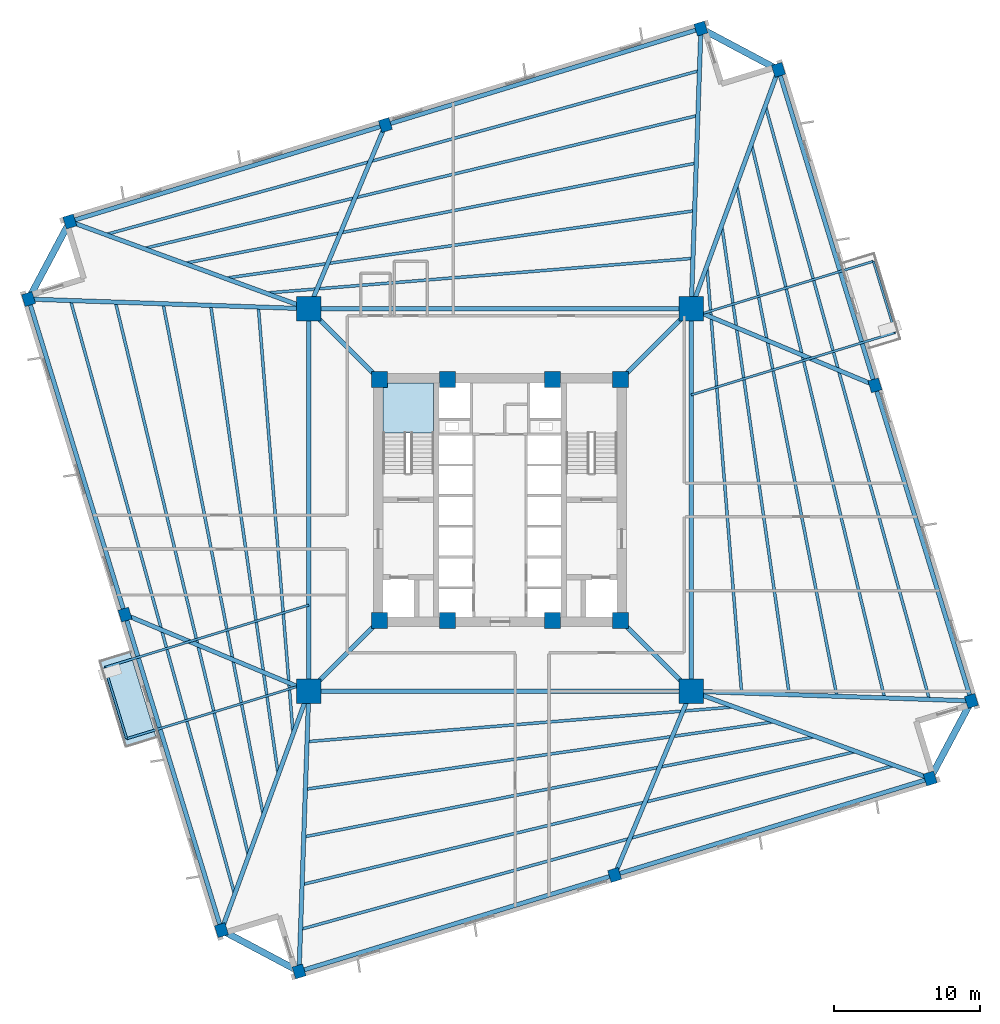
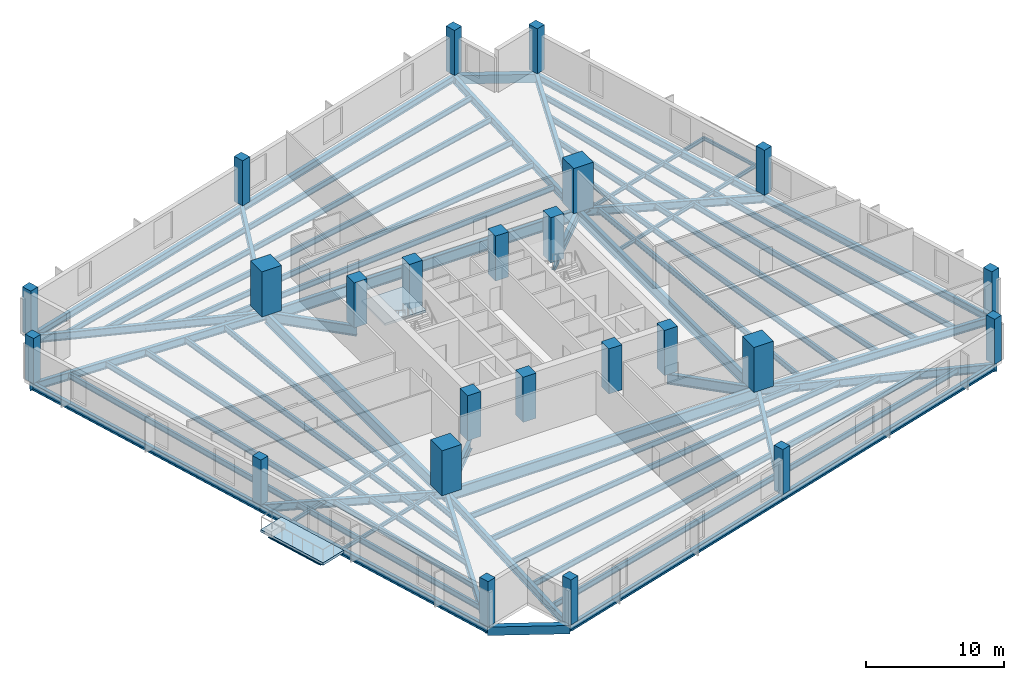
# One storey, part 1 of 9: 58 beams, 24 columns, 2 slabs, 1 element without a shape of its own.
"""IFC4 building model written with IfcOpenShell, lengths in metres."""

from ifc_helpers import new_model, si_unit, direction, frame, origin, origin_2d, place, context, subcontext, project, spatial, polyline, rectangle, i_section, outline, extrude, source, transform, mapped, material, layer, layer_set, material_profile, profile_set, type_object, element, aggregate, save


model = new_model("IFC4")

# Units and contexts
model_context = context("Model", 3, precision=1e-05, world=origin(), true_north=direction((0.0, 1.0)))
body_context = subcontext(model_context, "Body", "Model", "MODEL_VIEW")
ifc_project = project(units=[si_unit("LENGTHUNIT", "METRE"), si_unit("AREAUNIT", "SQUARE_METRE"), si_unit("VOLUMEUNIT", "CUBIC_METRE"), si_unit("PLANEANGLEUNIT", "RADIAN"), si_unit("MASSUNIT", "GRAM", prefix="KILO"), si_unit("THERMODYNAMICTEMPERATUREUNIT", "KELVIN")], contexts=[model_context])

# Site, building, storey
site_placement = place(None, origin())
site = spatial("IfcSite", under=ifc_project, at=site_placement, CompositionType="ELEMENT")
building_placement = place(site_placement, origin())
building = spatial("IfcBuilding", under=site, at=building_placement, Name="Kosmvard Interchange Tower", CompositionType="ELEMENT")
storey_placement = place(building_placement, frame((0.0, 0.0, 95.199951171875)))
storey = spatial("IfcBuildingStorey", under=building, at=storey_placement, Name="L22", CompositionType="ELEMENT", Elevation=95.199951171875)

# Columns
ifc_material_1 = material(Name="Concrete C80/95", Category="concrete")
ifc_material_profile_1 = material_profile(ifc_material_1, rectangle(XDim=1.10009765625, YDim=1.10009765625, at=origin_2d()), Name="CP 1100x1100")
ifc_profile_set_1 = profile_set([ifc_material_profile_1], Name="Concrete C80/95")
column_type_1 = type_object("IfcColumnType", Name="Core Boundary Pilaster 1100x1100 C80/95", PredefinedType="PILASTER", material=ifc_profile_set_1)
shared_shape_1 = source(origin(), body_context, "Body", "SweptSolid", [
    extrude(rectangle(XDim=1.10009765625, YDim=1.10009765625, at=origin_2d()), origin(), (0.0, 0.0, 1.0), 4.0),
])
for number, where, z_axis, x_axis, name in (
    (1, (-8.25, -8.25, 0.0), (0.0, 0.0, 1.0), (1.0, 0.0, 0.0), "L22 Core Pilaster CP1"),
    (2, (8.25, -8.25, 0.0), (0.0, 0.0, 1.0), (1.0, 0.0, 0.0), "L22 Core Pilaster CP2"),
    (3, (8.25, 8.25, 0.0), (0.0, 0.0, 1.0), (1.0, 0.0, 0.0), "L22 Core Pilaster CP3"),
    (4, (-8.25, 8.25, 0.0), (0.0, 0.0, 1.0), (1.0, 0.0, 0.0), "L22 Core Pilaster CP4"),
    (5, (-3.60009765625, -8.25, 0.0), (0.0, 0.0, 1.0), (1.0, 0.0, 0.0), "L22 Core Pilaster CP5"),
    (6, (3.60009765625, -8.25, 0.0), (0.0, 0.0, 1.0), (1.0, 0.0, 0.0), "L22 Core Pilaster CP6"),
    (7, (-3.60009765625, 8.25, 0.0), (0.0, 0.0, 1.0), (1.0, 0.0, 0.0), "L22 Core Pilaster CP7"),
    (8, (3.60009765625, 8.25, 0.0), (0.0, 0.0, 1.0), (1.0, 0.0, 0.0), "L22 Core Pilaster CP8"),
):
    element("IfcColumn", number, at=place(storey_placement, frame(where, z_axis=z_axis, x_axis=x_axis)), inside=storey, type_object=column_type_1, Name=name, PredefinedType="PILASTER", context=body_context, shape_type="MappedRepresentation", body=[
        mapped(shared_shape_1, transform((0.0, 0.0, 0.0), scale=1.0)),
    ])
ifc_material_2 = material(Name="Concrete C70/85", Category="concrete")
ifc_material_profile_2 = material_profile(ifc_material_2, rectangle(XDim=1.64990234375, YDim=1.64990234375, at=origin_2d()), Name="MC 1650x1650")
ifc_profile_set_2 = profile_set([ifc_material_profile_2], Name="Concrete C70/85")
column_type_2 = type_object("IfcColumnType", Name="Composite Mega-Column 1650x1650 C70/85", PredefinedType="COLUMN", material=ifc_profile_set_2)
shared_shape_2 = source(origin(), body_context, "Body", "SweptSolid", [
    extrude(rectangle(XDim=1.64990234375, YDim=1.64990234375, at=origin_2d()), origin(), (0.0, 0.0, 1.0), 4.0),
])
for number, where, z_axis, x_axis, name in (
    (9, (-13.0810546875, -13.0810546875, 0.0), (0.0, 0.0, 1.0), (1.0, 0.0, 0.0), "L22 Corner Mega-Column MC1"),
    (10, (13.0810546875, -13.0810546875, 0.0), (0.0, 0.0, 1.0), (1.0, 0.0, 0.0), "L22 Corner Mega-Column MC2"),
    (11, (13.0810546875, 13.0810546875, 0.0), (0.0, 0.0, 1.0), (1.0, 0.0, 0.0), "L22 Corner Mega-Column MC3"),
    (12, (-13.0810546875, 13.0810546875, 0.0), (0.0, 0.0, 1.0), (1.0, 0.0, 0.0), "L22 Corner Mega-Column MC4"),
):
    element("IfcColumn", number, at=place(storey_placement, frame(where, z_axis=z_axis, x_axis=x_axis)), inside=storey, type_object=column_type_2, Name=name, PredefinedType="COLUMN", context=body_context, shape_type="MappedRepresentation", body=[
        mapped(shared_shape_2, transform((0.0, 0.0, 0.0), scale=1.0)),
    ])
ifc_material_3 = material(Name="Concrete C60/75", Category="concrete")
ifc_material_profile_3 = material_profile(ifc_material_3, rectangle(XDim=0.75, YDim=0.85009765625, at=origin_2d()), Name="TC 850x750")
ifc_profile_set_3 = profile_set([ifc_material_profile_3], Name="Concrete C60/75")
column_type_3 = type_object("IfcColumnType", Name="Zone 2 Perimeter Pier Column 850x750 C60/75", PredefinedType="COLUMN", material=ifc_profile_set_3)
shared_shape_3 = source(origin(), body_context, "Body", "SweptSolid", [
    extrude(rectangle(XDim=0.75, YDim=0.85009765625, at=origin_2d()), origin(), (0.0, 0.0, 1.0), 4.0),
])
for number, where, z_axis, x_axis, name in (
    (13, (-13.74560546875, -32.253173828125, 0.0), (0.0, 0.0, 1.0), (0.956304755963, 0.292371704723, 0.0), "L22 Perimeter Pier Column TC-S1"),
    (14, (7.8427734375, -25.65283203125, 0.0), (0.0, 0.0, 1.0), (0.956304755963, 0.292371704723, 0.0), "L22 Perimeter Pier Column TC-S2"),
    (15, (29.431396484375, -19.052490234375, 0.0), (0.0, 0.0, 1.0), (0.956304755963, 0.292371704723, 0.0), "L22 Perimeter Pier Column TC-S3"),
    (16, (32.253173828125, -13.74560546875, 0.0), (0.0, 0.0, 1.0), (0.956304755963, 0.292371704723, 0.0), "L22 Perimeter Pier Column TC-E1"),
    (17, (25.65283203125, 7.8427734375, 0.0), (0.0, 0.0, 1.0), (0.956304755963, 0.292371704723, 0.0), "L22 Perimeter Pier Column TC-E2"),
    (18, (19.052490234375, 29.431396484375, 0.0), (0.0, 0.0, 1.0), (0.956304755963, 0.292371704723, 0.0), "L22 Perimeter Pier Column TC-E3"),
    (19, (13.74560546875, 32.253173828125, 0.0), (0.0, 0.0, 1.0), (0.956304755963, 0.292371704723, 0.0), "L22 Perimeter Pier Column TC-N1"),
    (20, (-7.8427734375, 25.65283203125, 0.0), (0.0, 0.0, 1.0), (0.956304755963, 0.292371704723, 0.0), "L22 Perimeter Pier Column TC-N2"),
    (21, (-29.431396484375, 19.052490234375, 0.0), (0.0, 0.0, 1.0), (0.956304755963, 0.292371704723, 0.0), "L22 Perimeter Pier Column TC-N3"),
    (22, (-32.253173828125, 13.74560546875, 0.0), (0.0, 0.0, 1.0), (0.956304755963, 0.292371704723, 0.0), "L22 Perimeter Pier Column TC-W1"),
    (23, (-25.65283203125, -7.8427734375, 0.0), (0.0, 0.0, 1.0), (0.956304755963, 0.292371704723, 0.0), "L22 Perimeter Pier Column TC-W2"),
    (24, (-19.052490234375, -29.431396484375, 0.0), (0.0, 0.0, 1.0), (0.956304755963, 0.292371704723, 0.0), "L22 Perimeter Pier Column TC-W3"),
):
    element("IfcColumn", number, at=place(storey_placement, frame(where, z_axis=z_axis, x_axis=x_axis)), inside=storey, type_object=column_type_3, Name=name, PredefinedType="COLUMN", context=body_context, shape_type="MappedRepresentation", body=[
        mapped(shared_shape_3, transform((0.0, 0.0, 0.0), scale=1.0)),
    ])

# Beams
ifc_material_4 = material(Name="Steel S460", Category="steel")
ifc_material_profile_4 = material_profile(ifc_material_4, i_section(OverallWidth=0.30810546875, OverallDepth=0.909912109375, WebThickness=0.02099609375, FlangeThickness=0.0400390625, FilletRadius=0.027099609375, at=origin_2d()), Name="HEM 900")
ifc_profile_set_4 = profile_set([ifc_material_profile_4], Name="Steel S460")
beam_type_1 = type_object("IfcBeamType", Name="Primary Mega-Frame Girder HEM 900 S460", PredefinedType="BEAM", material=ifc_profile_set_4)
shared_shape_4 = source(origin(), body_context, "Body", "SweptSolid", [
    extrude(i_section(OverallWidth=0.30810546875, OverallDepth=0.909912109375, WebThickness=0.02099609375, FlangeThickness=0.0400390625, FilletRadius=0.027099609375, at=origin_2d()), origin(), (0.0, 0.0, 1.0), 6.83203125),
])
for number, where, z_axis, x_axis, name in (
    (25, (-8.25, -8.25, -0.71484375), (-0.707106781187, -0.707106781187, 0.0), (0.707106781187, -0.707106781187, 0.0), "L22 Radial Mega-Frame Girder 1"),
    (26, (8.25, -8.25, -0.71484375), (0.707106781187, -0.707106781187, 0.0), (0.707106781187, 0.707106781187, 0.0), "L22 Radial Mega-Frame Girder 2"),
    (27, (8.25, 8.25, -0.71484375), (0.707106781187, 0.707106781187, 0.0), (-0.707106781187, 0.707106781187, 0.0), "L22 Radial Mega-Frame Girder 3"),
    (28, (-8.25, 8.25, -0.71484375), (-0.707106781187, 0.707106781187, 0.0), (-0.707106781187, -0.707106781187, 0.0), "L22 Radial Mega-Frame Girder 4"),
):
    element("IfcBeam", number, at=place(storey_placement, frame(where, z_axis=z_axis, x_axis=x_axis)), inside=storey, type_object=beam_type_1, Name=name, PredefinedType="BEAM", context=body_context, shape_type="MappedRepresentation", body=[
        mapped(shared_shape_4, transform((0.0, 0.0, 0.0), scale=1.0)),
    ])
ifc_material_profile_5 = material_profile(ifc_material_4, i_section(OverallWidth=0.30908203125, OverallDepth=1.008056640625, WebThickness=0.02099609375, FlangeThickness=0.0400390625, FilletRadius=0.030029296875, at=origin_2d()), Name="HEM 1000")
ifc_profile_set_5 = profile_set([ifc_material_profile_5], Name="Steel S460")
beam_type_2 = type_object("IfcBeamType", Name="Mega-Column Ring Girder HEM 1000 S460", PredefinedType="BEAM", material=ifc_profile_set_5)
shared_shape_5 = source(origin(), body_context, "Body", "SweptSolid", [
    extrude(i_section(OverallWidth=0.30908203125, OverallDepth=1.008056640625, WebThickness=0.02099609375, FlangeThickness=0.0400390625, FilletRadius=0.030029296875, at=origin_2d()), origin(), (0.0, 0.0, 1.0), 26.162109375),
])
for number, where, z_axis, x_axis, name in (
    (29, (-13.0810546875, -13.0810546875, -0.763916015625), (1.0, 0.0, 0.0), (0.0, 1.0, 0.0), "L22 Mega-Column Ring Girder 1"),
    (30, (13.0810546875, -13.0810546875, -0.763916015625), (0.0, 1.0, 0.0), (-1.0, 0.0, 0.0), "L22 Mega-Column Ring Girder 2"),
    (31, (13.0810546875, 13.0810546875, -0.763916015625), (-1.0, 0.0, 0.0), (0.0, -1.0, 0.0), "L22 Mega-Column Ring Girder 3"),
    (32, (-13.0810546875, 13.0810546875, -0.763916015625), (0.0, -1.0, 0.0), (1.0, 0.0, 0.0), "L22 Mega-Column Ring Girder 4"),
):
    element("IfcBeam", number, at=place(storey_placement, frame(where, z_axis=z_axis, x_axis=x_axis)), inside=storey, type_object=beam_type_2, Name=name, PredefinedType="BEAM", context=body_context, shape_type="MappedRepresentation", body=[
        mapped(shared_shape_5, transform((0.0, 0.0, 0.0), scale=1.0)),
    ])
ifc_material_5 = material(Name="Steel S355", Category="steel")
ifc_material_profile_6 = material_profile(ifc_material_5, i_section(OverallWidth=0.14990234375, OverallDepth=0.300048828125, WebThickness=0.007080078125, FlangeThickness=0.0107421875, FilletRadius=0.014892578125, at=origin_2d()), Name="IPE 300")
ifc_profile_set_6 = profile_set([ifc_material_profile_6], Name="Steel S355")
beam_type_3 = type_object("IfcBeamType", Name="Balcony Edge Header Joist IPE 300 S355", PredefinedType="JOIST", material=ifc_profile_set_6)
shared_shape_6 = source(origin(), body_context, "Body", "SweptSolid", [
    extrude(i_section(OverallWidth=0.14990234375, OverallDepth=0.300048828125, WebThickness=0.007080078125, FlangeThickness=0.0107421875, FilletRadius=0.014892578125, at=origin_2d()), origin(), (0.0, 0.0, 1.0), 5.099853515625),
])
for number, where, z_axis, x_axis, name in (
    (33, (27.032470703125, 11.4541015625, -0.409912109375), (-0.292403397238, 0.956295066015, 0.0), (-0.956295066015, -0.292403397238, 0.0), "BM-L22-BJH1"),
    (34, (-27.032470703125, -11.4541015625, -0.409912109375), (0.292403397238, -0.956295066015, 0.0), (0.956295066015, 0.292403397238, 0.0), "BM-L22-BJH2"),
):
    element("IfcBeam", number, at=place(storey_placement, frame(where, z_axis=z_axis, x_axis=x_axis)), inside=storey, type_object=beam_type_3, Name=name, PredefinedType="JOIST", context=body_context, shape_type="MappedRepresentation", body=[
        mapped(shared_shape_6, transform((0.0, 0.0, 0.0), scale=1.0)),
    ])
ifc_material_profile_7 = material_profile(ifc_material_5, i_section(OverallWidth=0.300048828125, OverallDepth=0.60009765625, WebThickness=0.015380859375, FlangeThickness=0.030029296875, FilletRadius=0.027099609375, at=origin_2d()), Name="HEB 600")
ifc_profile_set_7 = profile_set([ifc_material_profile_7], Name="Steel S355")
beam_type_4 = type_object("IfcBeamType", Name="Perimeter Tie Girder HEB 600 S355", PredefinedType="BEAM", material=ifc_profile_set_7)
shared_shape_7 = source(origin(), body_context, "Body", "SweptSolid", [
    extrude(i_section(OverallWidth=0.300048828125, OverallDepth=0.60009765625, WebThickness=0.015380859375, FlangeThickness=0.030029296875, FilletRadius=0.027099609375, at=origin_2d()), origin(), (0.0, 0.0, 1.0), 22.57470703125),
])
for number, where, z_axis, x_axis, name in (
    (35, (-13.74560546875, -32.253173828125, -0.56005859375), (0.956303368768, 0.292376241995, 0.0), (-0.292376241995, 0.956303368768, 0.0), "BM-L22-PR01"),
    (36, (32.253173828125, -13.74560546875, -0.56005859375), (-0.292376241995, 0.956303368768, 0.0), (-0.956303368768, -0.292376241995, 0.0), "BM-L22-PR04"),
    (37, (13.74560546875, 32.253173828125, -0.56005859375), (-0.956303368768, -0.292376241995, 0.0), (0.292376241995, -0.956303368768, 0.0), "BM-L22-PR07"),
    (38, (-32.253173828125, 13.74560546875, -0.56005859375), (0.292376241995, -0.956303368768, 0.0), (0.956303368768, 0.292376241995, 0.0), "BM-L22-PR10"),
):
    element("IfcBeam", number, at=place(storey_placement, frame(where, z_axis=z_axis, x_axis=x_axis)), inside=storey, type_object=beam_type_4, Name=name, PredefinedType="BEAM", context=body_context, shape_type="MappedRepresentation", body=[
        mapped(shared_shape_7, transform((0.0, 0.0, 0.0), scale=1.0)),
    ])
ifc_material_profile_8 = material_profile(ifc_material_5, i_section(OverallWidth=0.300048828125, OverallDepth=0.699951171875, WebThickness=0.01708984375, FlangeThickness=0.031982421875, FilletRadius=0.027099609375, at=origin_2d()), Name="HEB 700")
ifc_profile_set_8 = profile_set([ifc_material_profile_8], Name="Steel S355")
beam_type_5 = type_object("IfcBeamType", Name="Primary Floor Girder HEB 700 S355", PredefinedType="BEAM", material=ifc_profile_set_8)
shared_shape_8 = source(origin(), body_context, "Body", "SweptSolid", [
    extrude(i_section(OverallWidth=0.300048828125, OverallDepth=0.699951171875, WebThickness=0.01708984375, FlangeThickness=0.031982421875, FilletRadius=0.027099609375, at=origin_2d()), origin(), (0.0, 0.0, 1.0), 19.18359375),
])
for number, where, z_axis, x_axis, name in (
    (39, (-13.0810546875, -13.0810546875, -0.60986328125), (-0.034641549738, -0.999399801397, 0.0), (0.999399801397, -0.034641549738, 0.0), "BM-L22-RD01"),
    (40, (13.0810546875, -13.0810546875, -0.60986328125), (0.999399801397, -0.034641549738, 0.0), (0.034641549738, 0.999399801397, 0.0), "BM-L22-RD04"),
    (41, (13.0810546875, 13.0810546875, -0.60986328125), (0.034641549738, 0.999399801397, 0.0), (-0.999399801397, 0.034641549738, 0.0), "BM-L22-RD07"),
    (42, (-13.0810546875, 13.0810546875, -0.60986328125), (-0.999399801397, 0.034641549738, 0.0), (-0.034641549738, -0.999399801397, 0.0), "BM-L22-RD10"),
):
    element("IfcBeam", number, at=place(storey_placement, frame(where, z_axis=z_axis, x_axis=x_axis)), inside=storey, type_object=beam_type_5, Name=name, PredefinedType="BEAM", context=body_context, shape_type="MappedRepresentation", body=[
        mapped(shared_shape_8, transform((0.0, 0.0, 0.0), scale=1.0)),
    ])
shared_shape_9 = source(origin(), body_context, "Body", "SweptSolid", [
    extrude(i_section(OverallWidth=0.300048828125, OverallDepth=0.60009765625, WebThickness=0.015380859375, FlangeThickness=0.030029296875, FilletRadius=0.027099609375, at=origin_2d()), origin(), (0.0, 0.0, 1.0), 22.574951171875),
])
for number, where, z_axis, x_axis, name in (
    (43, (7.8427734375, -25.65283203125, -0.56005859375), (0.956304293239, 0.292373218222, 0.0), (-0.292373218222, 0.956304293239, 0.0), "BM-L22-PR02"),
    (44, (25.65283203125, 7.8427734375, -0.56005859375), (-0.292373218222, 0.956304293239, 0.0), (-0.956304293239, -0.292373218222, 0.0), "BM-L22-PR05"),
    (45, (-7.8427734375, 25.65283203125, -0.56005859375), (-0.956304293239, -0.292373218222, 0.0), (0.292373218222, -0.956304293239, 0.0), "BM-L22-PR08"),
    (46, (-25.65283203125, -7.8427734375, -0.56005859375), (0.292373218222, -0.956304293239, 0.0), (0.956304293239, 0.292373218222, 0.0), "BM-L22-PR11"),
):
    element("IfcBeam", number, at=place(storey_placement, frame(where, z_axis=z_axis, x_axis=x_axis)), inside=storey, type_object=beam_type_4, Name=name, PredefinedType="BEAM", context=body_context, shape_type="MappedRepresentation", body=[
        mapped(shared_shape_9, transform((0.0, 0.0, 0.0), scale=1.0)),
    ])
shared_shape_10 = source(origin(), body_context, "Body", "SweptSolid", [
    extrude(i_section(OverallWidth=0.300048828125, OverallDepth=0.699951171875, WebThickness=0.01708984375, FlangeThickness=0.031982421875, FilletRadius=0.027099609375, at=origin_2d()), origin(), (0.0, 0.0, 1.0), 13.619384765625),
])
for number, where, z_axis, x_axis, name in (
    (47, (13.0810546875, -13.0810546875, -0.60986328125), (-0.384617930303, -0.92307586237, 0.0), (0.92307586237, -0.384617930303, 0.0), "BM-L22-RD02"),
    (48, (13.0810546875, 13.0810546875, -0.60986328125), (0.92307586237, -0.384617930303, 0.0), (0.384617930303, 0.92307586237, 0.0), "BM-L22-RD05"),
    (49, (-13.0810546875, 13.0810546875, -0.60986328125), (0.384617930303, 0.92307586237, 0.0), (-0.92307586237, 0.384617930303, 0.0), "BM-L22-RD08"),
    (50, (-13.0810546875, -13.0810546875, -0.60986328125), (-0.92307586237, 0.384617930303, 0.0), (-0.384617930303, -0.92307586237, 0.0), "BM-L22-RD11"),
):
    element("IfcBeam", number, at=place(storey_placement, frame(where, z_axis=z_axis, x_axis=x_axis)), inside=storey, type_object=beam_type_5, Name=name, PredefinedType="BEAM", context=body_context, shape_type="MappedRepresentation", body=[
        mapped(shared_shape_10, transform((0.0, 0.0, 0.0), scale=1.0)),
    ])
ifc_material_6 = material(Name="Precast concrete C45/55", Category="concrete")
ifc_material_profile_9 = material_profile(ifc_material_6, rectangle(XDim=0.449951171875, YDim=0.75, at=origin_2d()), Name="SL 450x750")
ifc_profile_set_9 = profile_set([ifc_material_profile_9], Name="Precast concrete C45/55")
beam_type_6 = type_object("IfcBeamType", Name="Precast Spandrel Lintel 450x750 C45/55", PredefinedType="LINTEL", material=ifc_profile_set_9)
shared_shape_11 = source(origin(), body_context, "Body", "SweptSolid", [
    extrude(rectangle(XDim=0.449951171875, YDim=0.75, at=origin_2d()), origin(), (0.0, 0.0, 1.0), 6.010498046875),
])
for number, where, z_axis, x_axis, name in (
    (51, (29.431396484375, -19.052490234375, -0.635009765625), (0.469478912111, 0.882943685114, 0.0), (-0.882943685114, 0.469478912111, 0.0), "BM-L22-SL1"),
    (52, (19.052490234375, 29.431396484375, -0.635009765625), (-0.882943685114, 0.469478912111, 0.0), (-0.469478912111, -0.882943685114, 0.0), "BM-L22-SL2"),
    (53, (-29.431396484375, 19.052490234375, -0.635009765625), (-0.469478912111, -0.882943685114, 0.0), (0.882943685114, -0.469478912111, 0.0), "BM-L22-SL3"),
    (54, (-19.052490234375, -29.431396484375, -0.635009765625), (0.882943685114, -0.469478912111, 0.0), (0.469478912111, 0.882943685114, 0.0), "BM-L22-SL4"),
):
    element("IfcBeam", number, at=place(storey_placement, frame(where, z_axis=z_axis, x_axis=x_axis)), inside=storey, type_object=beam_type_6, Name=name, PredefinedType="LINTEL", context=body_context, shape_type="MappedRepresentation", body=[
        mapped(shared_shape_11, transform((0.0, 0.0, 0.0), scale=1.0)),
    ])
shared_shape_12 = source(origin(), body_context, "Body", "SweptSolid", [
    extrude(i_section(OverallWidth=0.300048828125, OverallDepth=0.699951171875, WebThickness=0.01708984375, FlangeThickness=0.031982421875, FilletRadius=0.027099609375, at=origin_2d()), origin(), (0.0, 0.0, 1.0), 17.40673828125),
])
for number, where, z_axis, x_axis, name in (
    (55, (13.0810546875, -13.0810546875, -0.60986328125), (0.939315429031, -0.343054696491, 0.0), (0.343054696491, 0.939315429031, 0.0), "BM-L22-RD03"),
    (56, (13.0810546875, 13.0810546875, -0.60986328125), (0.343054696491, 0.939315429031, 0.0), (-0.939315429031, 0.343054696491, 0.0), "BM-L22-RD06"),
    (57, (-13.0810546875, 13.0810546875, -0.60986328125), (-0.939315429031, 0.343054696491, 0.0), (-0.343054696491, -0.939315429031, 0.0), "BM-L22-RD09"),
    (58, (-13.0810546875, -13.0810546875, -0.60986328125), (-0.343054696491, -0.939315429031, 0.0), (0.939315429031, -0.343054696491, 0.0), "BM-L22-RD12"),
):
    element("IfcBeam", number, at=place(storey_placement, frame(where, z_axis=z_axis, x_axis=x_axis)), inside=storey, type_object=beam_type_5, Name=name, PredefinedType="BEAM", context=body_context, shape_type="MappedRepresentation", body=[
        mapped(shared_shape_12, transform((0.0, 0.0, 0.0), scale=1.0)),
    ])
ifc_material_profile_10 = material_profile(ifc_material_5, i_section(OverallWidth=0.199951171875, OverallDepth=0.5, WebThickness=0.01025390625, FlangeThickness=0.01611328125, FilletRadius=0.02099609375, at=origin_2d()), Name="IPE 500")
ifc_profile_set_10 = profile_set([ifc_material_profile_10], Name="Steel S355")
beam_type_7 = type_object("IfcBeamType", Name="Standard Floor Joist IPE 500 S355", PredefinedType="JOIST", material=ifc_profile_set_10)
shared_shape_13 = source(origin(), body_context, "Body", "SweptSolid", [
    extrude(i_section(OverallWidth=0.199951171875, OverallDepth=0.5, WebThickness=0.01025390625, FlangeThickness=0.01611328125, FilletRadius=0.02099609375, at=origin_2d()), origin(), (0.0, 0.0, 1.0), 29.1611328125),
])
for number, where, z_axis, x_axis, name in (
    (59, (-13.120849609375, -16.525390625, -0.510009765625), (0.99671134435, 0.081033919093, 0.0), (-0.081033919093, 0.99671134435, 0.0), "BM-L22-FJ01"),
    (60, (16.525390625, -13.120849609375, -0.510009765625), (-0.081033919093, 0.99671134435, 0.0), (-0.99671134435, -0.081033919093, 0.0), "BM-L22-FJ06"),
    (61, (13.120849609375, 16.525390625, -0.510009765625), (-0.99671134435, -0.081033919093, 0.0), (0.081033919093, -0.99671134435, 0.0), "BM-L22-FJ11"),
    (62, (-16.525390625, 13.120849609375, -0.510009765625), (0.081033919093, -0.99671134435, 0.0), (0.99671134435, 0.081033919093, 0.0), "BM-L22-FJ16"),
):
    element("IfcBeam", number, at=place(storey_placement, frame(where, z_axis=z_axis, x_axis=x_axis)), inside=storey, type_object=beam_type_7, Name=name, PredefinedType="JOIST", context=body_context, shape_type="MappedRepresentation", body=[
        mapped(shared_shape_13, transform((0.0, 0.0, 0.0), scale=1.0)),
    ])
shared_shape_14 = source(origin(), body_context, "Body", "SweptSolid", [
    extrude(i_section(OverallWidth=0.199951171875, OverallDepth=0.5, WebThickness=0.01025390625, FlangeThickness=0.01611328125, FilletRadius=0.02099609375, at=origin_2d()), origin(), (0.0, 0.0, 1.0), 32.287841796875),
])
for number, where, z_axis, x_axis, name in (
    (63, (-13.234375, -19.77978515625, -0.510009765625), (0.989810798314, 0.142388846268, 0.0), (-0.142388846268, 0.989810798314, 0.0), "BM-L22-FJ02"),
    (64, (19.77978515625, -13.234375, -0.510009765625), (-0.142388846268, 0.989810798314, 0.0), (-0.989810798314, -0.142388846268, 0.0), "BM-L22-FJ07"),
    (65, (13.234375, 19.77978515625, -0.510009765625), (-0.989810798314, -0.142388846268, 0.0), (0.142388846268, -0.989810798314, 0.0), "BM-L22-FJ12"),
    (66, (-19.77978515625, 13.234375, -0.510009765625), (0.142388846268, -0.989810798314, 0.0), (0.989810798314, 0.142388846268, 0.0), "BM-L22-FJ17"),
):
    element("IfcBeam", number, at=place(storey_placement, frame(where, z_axis=z_axis, x_axis=x_axis)), inside=storey, type_object=beam_type_7, Name=name, PredefinedType="JOIST", context=body_context, shape_type="MappedRepresentation", body=[
        mapped(shared_shape_14, transform((0.0, 0.0, 0.0), scale=1.0)),
    ])
shared_shape_15 = source(origin(), body_context, "Body", "SweptSolid", [
    extrude(i_section(OverallWidth=0.199951171875, OverallDepth=0.5, WebThickness=0.01025390625, FlangeThickness=0.01611328125, FilletRadius=0.02099609375, at=origin_2d()), origin(), (0.0, 0.0, 1.0), 35.516357421875),
])
for number, where, z_axis, x_axis, name in (
    (67, (-13.34814453125, -23.03515625, -0.510009765625), (0.981315785618, 0.192404077134, 0.0), (-0.192404077134, 0.981315785618, 0.0), "BM-L22-FJ03"),
    (68, (23.03515625, -13.34814453125, -0.510009765625), (-0.192404077134, 0.981315785618, 0.0), (-0.981315785618, -0.192404077134, 0.0), "BM-L22-FJ08"),
    (69, (13.34814453125, 23.03515625, -0.510009765625), (-0.981315785618, -0.192404077134, 0.0), (0.192404077134, -0.981315785618, 0.0), "BM-L22-FJ13"),
    (70, (-23.03515625, 13.34814453125, -0.510009765625), (0.192404077134, -0.981315785618, 0.0), (0.981315785618, 0.192404077134, 0.0), "BM-L22-FJ18"),
):
    element("IfcBeam", number, at=place(storey_placement, frame(where, z_axis=z_axis, x_axis=x_axis)), inside=storey, type_object=beam_type_7, Name=name, PredefinedType="JOIST", context=body_context, shape_type="MappedRepresentation", body=[
        mapped(shared_shape_15, transform((0.0, 0.0, 0.0), scale=1.0)),
    ])
shared_shape_16 = source(origin(), body_context, "Body", "SweptSolid", [
    extrude(i_section(OverallWidth=0.199951171875, OverallDepth=0.5, WebThickness=0.01025390625, FlangeThickness=0.01611328125, FilletRadius=0.02099609375, at=origin_2d()), origin(), (0.0, 0.0, 1.0), 38.821533203125),
])
for number, where, z_axis, x_axis, name in (
    (71, (-13.4619140625, -26.291015625, -0.510009765625), (0.972318244358, 0.233660505198, 0.0), (-0.233660505198, 0.972318244358, 0.0), "BM-L22-FJ04"),
    (72, (26.291015625, -13.4619140625, -0.510009765625), (-0.233660505198, 0.972318244358, 0.0), (-0.972318244358, -0.233660505198, 0.0), "BM-L22-FJ09"),
    (73, (13.4619140625, 26.291015625, -0.510009765625), (-0.972318244358, -0.233660505198, 0.0), (0.233660505198, -0.972318244358, 0.0), "BM-L22-FJ14"),
    (74, (-26.291015625, 13.4619140625, -0.510009765625), (0.233660505198, -0.972318244358, 0.0), (0.972318244358, 0.233660505198, 0.0), "BM-L22-FJ19"),
):
    element("IfcBeam", number, at=place(storey_placement, frame(where, z_axis=z_axis, x_axis=x_axis)), inside=storey, type_object=beam_type_7, Name=name, PredefinedType="JOIST", context=body_context, shape_type="MappedRepresentation", body=[
        mapped(shared_shape_16, transform((0.0, 0.0, 0.0), scale=1.0)),
    ])
shared_shape_17 = source(origin(), body_context, "Body", "SweptSolid", [
    extrude(i_section(OverallWidth=0.199951171875, OverallDepth=0.5, WebThickness=0.01025390625, FlangeThickness=0.01611328125, FilletRadius=0.02099609375, at=origin_2d()), origin(), (0.0, 0.0, 1.0), 41.98583984375),
])
for number, where, z_axis, x_axis, name in (
    (75, (-13.56884765625, -29.35595703125, -0.510009765625), (0.96391074105, 0.266225624778, 0.0), (-0.266225624778, 0.96391074105, 0.0), "BM-L22-FJ05"),
    (76, (29.35595703125, -13.56884765625, -0.510009765625), (-0.266225624778, 0.96391074105, 0.0), (-0.96391074105, -0.266225624778, 0.0), "BM-L22-FJ10"),
    (77, (13.56884765625, 29.35595703125, -0.510009765625), (-0.96391074105, -0.266225624778, 0.0), (0.266225624778, -0.96391074105, 0.0), "BM-L22-FJ15"),
    (78, (-29.35595703125, 13.56884765625, -0.510009765625), (0.266225624778, -0.96391074105, 0.0), (0.96391074105, 0.266225624778, 0.0), "BM-L22-FJ20"),
):
    element("IfcBeam", number, at=place(storey_placement, frame(where, z_axis=z_axis, x_axis=x_axis)), inside=storey, type_object=beam_type_7, Name=name, PredefinedType="JOIST", context=body_context, shape_type="MappedRepresentation", body=[
        mapped(shared_shape_17, transform((0.0, 0.0, 0.0), scale=1.0)),
    ])
ifc_material_profile_11 = material_profile(ifc_material_5, i_section(OverallWidth=0.159912109375, OverallDepth=0.330078125, WebThickness=0.007568359375, FlangeThickness=0.011474609375, FilletRadius=0.01806640625, at=origin_2d()), Name="IPE 330")
ifc_profile_set_11 = profile_set([ifc_material_profile_11], Name="Steel S355")
beam_type_8 = type_object("IfcBeamType", Name="Balcony Cantilever Joist IPE 330 S355", PredefinedType="JOIST", material=ifc_profile_set_11)
shared_shape_18 = source(origin(), body_context, "Body", "SweptSolid", [
    extrude(i_section(OverallWidth=0.159912109375, OverallDepth=0.330078125, WebThickness=0.007568359375, FlangeThickness=0.011474609375, FilletRadius=0.01806640625, at=origin_2d()), origin(), (0.0, 0.0, 1.0), 14.5888671875),
])
for number, where, z_axis, x_axis, name in (
    (79, (13.0810546875, 7.188720703125, -0.425048828125), (0.95630466141, 0.292372013991, 0.0), (-0.292372013991, 0.95630466141, 0.0), "BM-L22-BJ1"),
    (80, (-13.0810546875, -7.188720703125, -0.425048828125), (-0.95630466141, -0.292372013991, 0.0), (0.292372013991, -0.95630466141, 0.0), "BM-L22-BJ2"),
):
    element("IfcBeam", number, at=place(storey_placement, frame(where, z_axis=z_axis, x_axis=x_axis)), inside=storey, type_object=beam_type_8, Name=name, PredefinedType="JOIST", context=body_context, shape_type="MappedRepresentation", body=[
        mapped(shared_shape_18, transform((0.0, 0.0, 0.0), scale=1.0)),
    ])
shared_shape_19 = source(origin(), body_context, "Body", "SweptSolid", [
    extrude(i_section(OverallWidth=0.159912109375, OverallDepth=0.330078125, WebThickness=0.007568359375, FlangeThickness=0.011474609375, FilletRadius=0.01806640625, at=origin_2d()), origin(), (0.0, 0.0, 1.0), 13.029541015625),
])
for number, where, z_axis, x_axis, name in (
    (81, (13.0810546875, 12.521728515625, -0.425048828125), (0.956307777684, 0.292361820938, 0.0), (-0.292361820938, 0.956307777684, 0.0), "BM-L22-BJB1"),
    (82, (-13.0810546875, -12.521728515625, -0.425048828125), (-0.956307777684, -0.292361820938, 0.0), (0.292361820938, -0.956307777684, 0.0), "BM-L22-BJB2"),
):
    element("IfcBeam", number, at=place(storey_placement, frame(where, z_axis=z_axis, x_axis=x_axis)), inside=storey, type_object=beam_type_8, Name=name, PredefinedType="JOIST", context=body_context, shape_type="MappedRepresentation", body=[
        mapped(shared_shape_19, transform((0.0, 0.0, 0.0), scale=1.0)),
    ])

# Stair, slab
ifc_material_7 = material(Name="Concrete C50/60", Category="concrete")
stair_type = type_object("IfcStairType", Name="Dog-Leg Core Exit Stair H4000 C50/60", PredefinedType="HALF_TURN_STAIR", material=ifc_material_7)
stair_placement = place(storey_placement, origin())
stair = element("IfcStair", 83, at=stair_placement, inside=storey, type_object=stair_type, Name="L22 Protected Exit Stair ST-1", PredefinedType="HALF_TURN_STAIR")
ifc_layer_1 = layer(ifc_material_7, 0.199951171875, Name="Concrete C50/60")
ifc_layer_set_1 = layer_set([ifc_layer_1], Name="Concrete C50/60")
slab_type_1 = type_object("IfcSlabType", Name="Stair Half-Landing Slab 200 C50/60", PredefinedType="LANDING", material=ifc_layer_set_1)
slab_1_placement = place(storey_placement, frame((0.0, 0.0, 1.800048828125)))
slab_1 = element("IfcSlab", 84, at=slab_1_placement, type_object=slab_type_1, Name="ST-1 landing 1", PredefinedType="LANDING", context=body_context, shape_type="SweptSolid", body=[
    extrude(outline(polyline([(-4.5400390625, 4.60009765625), (-4.5400390625, 8.0), (-8.0, 8.0), (-8.0, 4.60009765625), (-4.5400390625, 4.60009765625)])), origin(), (0.0, 0.0, 1.0), 0.199951171875),
])
aggregate(stair, [slab_1])

# Slab
ifc_layer_2 = layer(ifc_material_7, 0.22998046875, Name="Concrete C50/60")
ifc_layer_set_2 = layer_set([ifc_layer_2], Name="Concrete C50/60")
slab_type_2 = type_object("IfcSlabType", Name="Tree-Planter Cantilever Balcony Slab 230 C50/60", PredefinedType="FLOOR", material=ifc_layer_set_2)
slab_2_placement = place(storey_placement, frame((0.0, 0.0, -0.22998046875)))
element("IfcSlab", 85, at=slab_2_placement, inside=storey, type_object=slab_type_2, Name="L22 Outdoor Terrace Balcony Slab BAL-L22-W", PredefinedType="FLOOR", context=body_context, shape_type="SweptSolid", body=[
    extrude(outline(polyline([(-25.61962890625, -16.93017578125), (-23.515625, -16.286865234375), (-25.328369140625, -10.35791015625), (-27.43212890625, -11.001220703125), (-25.61962890625, -16.93017578125)])), origin(), (0.0, 0.0, 1.0), 0.22998046875),
])

save(model, "model.ifc")
